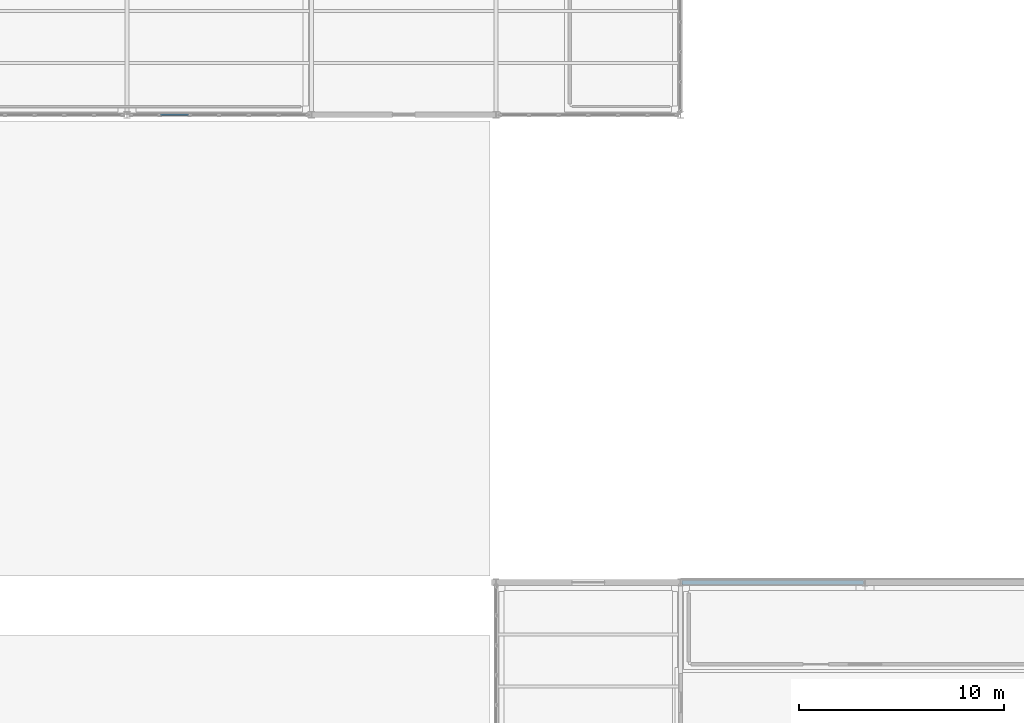
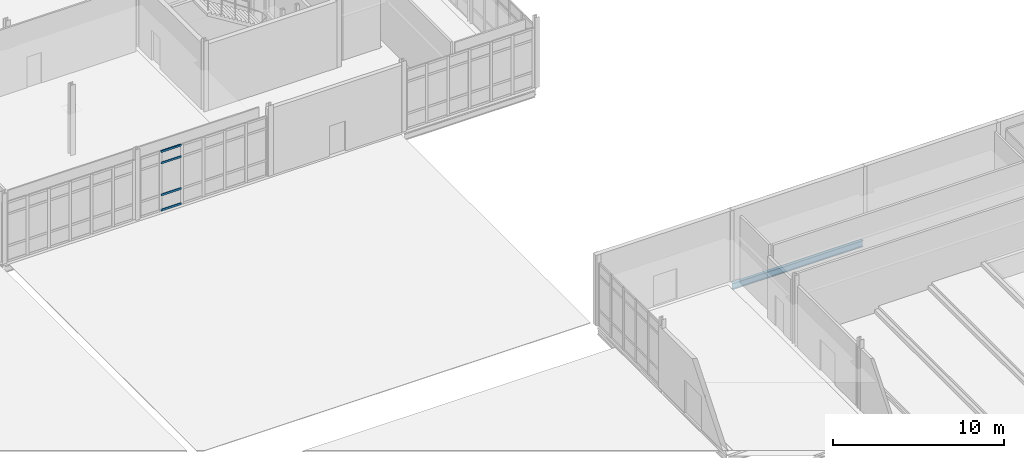
# One storey, part 106 of 161: 4 members, 1 beam, 1 element without a shape of its own.
"""IFC4 building model written with IfcOpenShell, lengths in metres."""

from ifc_helpers import new_model, si_unit, direction, frame, origin, origin_2d, place, context, subcontext, project, spatial, hollow_rectangle, i_section, extrude, material, material_profile, profile_set, type_object, element, aggregate, save


model = new_model("IFC4")

# Units and contexts
model_context = context("Model", 3, precision=1e-05, world=origin(), true_north=direction((0.0, 1.0)))
body_context = subcontext(model_context, "Body", "Model", "MODEL_VIEW")
ifc_project = project(units=[si_unit("LENGTHUNIT", "METRE"), si_unit("AREAUNIT", "SQUARE_METRE"), si_unit("VOLUMEUNIT", "CUBIC_METRE"), si_unit("PLANEANGLEUNIT", "RADIAN"), si_unit("MASSUNIT", "GRAM", prefix="KILO")], contexts=[model_context])

# Site, building, storey
site_placement = place(None, origin())
site = spatial("IfcSite", under=ifc_project, at=site_placement, CompositionType="ELEMENT")
building_placement = place(site_placement, origin())
building = spatial("IfcBuilding", under=site, at=building_placement, Name="Caisbarro Railhouse Central Library", CompositionType="ELEMENT")
storey_placement = place(building_placement, origin())
storey = spatial("IfcBuildingStorey", under=building, at=storey_placement, Name="L00", CompositionType="ELEMENT", Elevation=0.0)

# Beam
ifc_material_1 = material(Name="Steel ASTM A572 Grade 50", Category="steel")
ifc_material_profile_1 = material_profile(ifc_material_1, i_section(OverallWidth=0.18994140625, OverallDepth=0.45703125, WebThickness=0.009033203125, FlangeThickness=0.014404296875, FilletRadius=0.01806640625, at=origin_2d()), Name="W460X74.0")
ifc_profile_set_1 = profile_set([ifc_material_profile_1], Name="Steel ASTM A572 Grade 50")
beam_type = type_object("IfcBeamType", Name="BM-SP01", PredefinedType="SPANDREL", material=ifc_profile_set_1)
beam_placement = place(storey_placement, frame((153.080078125, 38.0, -0.478515625), z_axis=(1.0, 0.0, 0.0), x_axis=(0.0, 1.0, 0.0)))
element("IfcBeam", 1, at=beam_placement, inside=storey, type_object=beam_type, Name="SP01 beam L00 #462", PredefinedType="SPANDREL", context=body_context, shape_type="SweptSolid", body=[
    extrude(i_section(OverallWidth=0.18994140625, OverallDepth=0.45703125, WebThickness=0.009033203125, FlangeThickness=0.014404296875, FilletRadius=0.01806640625, at=origin_2d()), origin(), (0.0, 0.0, 1.0), 8.83984375),
])

# Curtain wall, members
ifc_material_2 = material(Name="Anodised architectural aluminium", Category="aluminium")
curtain_wall_type = type_object("IfcCurtainWallType", Name="CW-CW02", PredefinedType="NOTDEFINED", material=ifc_material_2)
curtain_wall_placement = place(storey_placement, origin())
curtain_wall = element("IfcCurtainWall", 2, at=curtain_wall_placement, inside=storey, type_object=curtain_wall_type, Name="CW02 curtain wall L00 #104", PredefinedType="NOTDEFINED")
ifc_material_profile_2 = material_profile(ifc_material_2, hollow_rectangle(XDim=0.074951171875, YDim=0.139892578125, WallThickness=0.00390625, at=origin_2d()), Name="ALU-TRN-75X140")
ifc_profile_set_2 = profile_set([ifc_material_profile_2], Name="Anodised architectural aluminium")
member_type = type_object("IfcMemberType", Name="CWT-T01", PredefinedType="USERDEFINED", material=ifc_profile_set_2)
member_1_placement = place(storey_placement, frame((127.644287109375, 60.800048828125, 0.03759765625), z_axis=(1.0, 0.0, 0.0), x_axis=(0.0, 1.0, 0.0)))
member_1 = element("IfcMember", 3, at=member_1_placement, type_object=member_type, Name="CW02 transom 2.1", ObjectType="TRANSOM", PredefinedType="USERDEFINED", context=body_context, shape_type="SweptSolid", body=[
    extrude(hollow_rectangle(XDim=0.074951171875, YDim=0.139892578125, WallThickness=0.00390625, at=origin_2d()), origin(), (0.0, 0.0, 1.0), 1.37158203125),
])
member_2_placement = place(storey_placement, frame((127.644287109375, 60.800048828125, 1.1201171875), z_axis=(1.0, 0.0, 0.0), x_axis=(0.0, 1.0, 0.0)))
member_2 = element("IfcMember", 4, at=member_2_placement, type_object=member_type, Name="CW02 transom 2.2", ObjectType="TRANSOM", PredefinedType="USERDEFINED", context=body_context, shape_type="SweptSolid", body=[
    extrude(hollow_rectangle(XDim=0.074951171875, YDim=0.139892578125, WallThickness=0.00390625, at=origin_2d()), origin(), (0.0, 0.0, 1.0), 1.37158203125),
])
member_3_placement = place(storey_placement, frame((127.644287109375, 60.800048828125, 3.39990234375), z_axis=(1.0, 0.0, 0.0), x_axis=(0.0, 1.0, 0.0)))
member_3 = element("IfcMember", 5, at=member_3_placement, type_object=member_type, Name="CW02 transom 2.3", ObjectType="TRANSOM", PredefinedType="USERDEFINED", context=body_context, shape_type="SweptSolid", body=[
    extrude(hollow_rectangle(XDim=0.074951171875, YDim=0.139892578125, WallThickness=0.00390625, at=origin_2d()), origin(), (0.0, 0.0, 1.0), 1.37158203125),
])
member_4_placement = place(storey_placement, frame((127.644287109375, 60.800048828125, 4.21240234375), z_axis=(1.0, 0.0, 0.0), x_axis=(0.0, 1.0, 0.0)))
member_4 = element("IfcMember", 6, at=member_4_placement, type_object=member_type, Name="CW02 transom 2.4", ObjectType="TRANSOM", PredefinedType="USERDEFINED", context=body_context, shape_type="SweptSolid", body=[
    extrude(hollow_rectangle(XDim=0.074951171875, YDim=0.139892578125, WallThickness=0.00390625, at=origin_2d()), origin(), (0.0, 0.0, 1.0), 1.37158203125),
])
aggregate(curtain_wall, [member_1, member_2, member_3, member_4])

save(model, "model.ifc")
